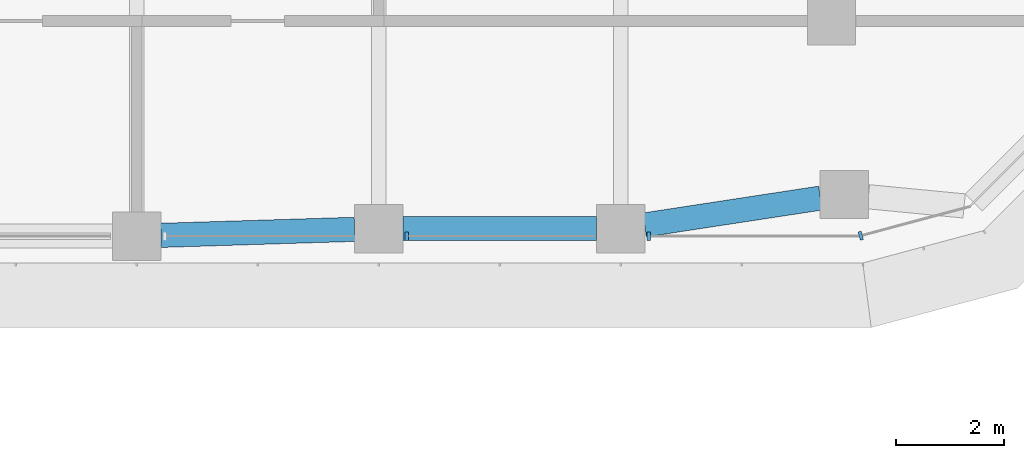
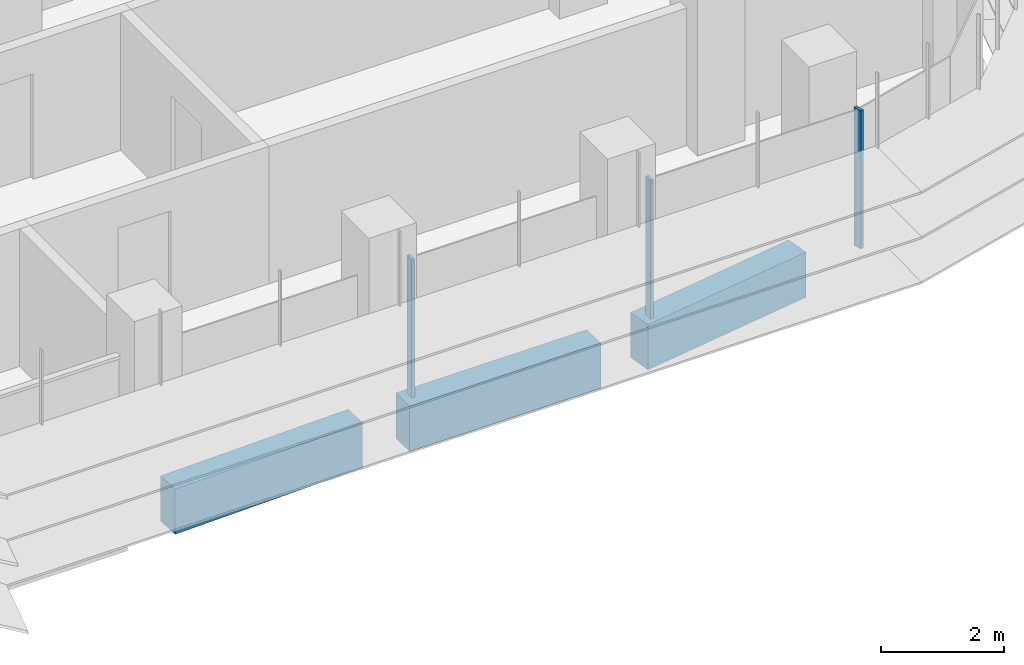
# One storey, part 5 of 22: 3 beams, 3 members, 2 elements without a shape of their own.
"""IFC4 building model written with IfcOpenShell, lengths in metres."""

from ifc_helpers import new_model, si_unit, direction, frame, origin, origin_2d, place, context, subcontext, project, spatial, polyline, rectangle, outline, extrude, source, transform, mapped, material, material_profile, profile_set, type_object, element, aggregate, save


model = new_model("IFC4")

# Units and contexts
model_context = context("Model", 3, precision=1e-05, world=origin(), true_north=direction((0.0, 1.0)))
body_context = subcontext(model_context, "Body", "Model", "MODEL_VIEW")
ifc_project = project(units=[si_unit("LENGTHUNIT", "METRE"), si_unit("AREAUNIT", "SQUARE_METRE"), si_unit("VOLUMEUNIT", "CUBIC_METRE"), si_unit("PLANEANGLEUNIT", "RADIAN"), si_unit("MASSUNIT", "GRAM", prefix="KILO")], contexts=[model_context])

# Site, building, storey
site_placement = place(None, origin())
site = spatial("IfcSite", under=ifc_project, at=site_placement, CompositionType="ELEMENT")
building_placement = place(site_placement, origin())
building = spatial("IfcBuilding", under=site, at=building_placement, Name="Zarbagh Exchange Tower", CompositionType="ELEMENT")
storey_placement = place(building_placement, frame((0.0, 0.0, 94.199951171875)))
storey = spatial("IfcBuildingStorey", under=building, at=storey_placement, Name="L21", CompositionType="ELEMENT", Elevation=94.199951171875)

# Beams
ifc_material_1 = material(Name="Concrete C60/75", Category="concrete")
ifc_material_profile = material_profile(ifc_material_1, rectangle(XDim=0.449951171875, YDim=0.89990234375, at=origin_2d()), Name="RC spandrel beam 450 x 900 C60/75")
ifc_profile_set = profile_set([ifc_material_profile], Name="Concrete C60/75")
beam_type = type_object("IfcBeamType", Name="RC spandrel beam 450 x 900 C60/75", PredefinedType="SPANDREL", material=ifc_profile_set)
beam_1_placement = place(storey_placement, frame((28.463134765625, -5.54296875, -0.599853515625), z_axis=(-0.988543505948, -0.150936201252, 0.0), x_axis=(0.150936201252, -0.988543505948, 0.0)))
element("IfcBeam", 1, at=beam_1_placement, inside=storey, type_object=beam_type, Name="RC spandrel beam", PredefinedType="SPANDREL", context=body_context, shape_type="SweptSolid", body=[
    extrude(rectangle(XDim=0.449951171875, YDim=0.89990234375, at=origin_2d()), origin(), (0.0, 0.0, 1.0), 3.30615234375),
])
beam_2_placement = place(storey_placement, frame((24.300048828125, -6.110107421875, -0.599853515625), z_axis=(-1.0, 0.0, 0.0), x_axis=(0.0, -1.0, 0.0)))
element("IfcBeam", 2, at=beam_2_placement, inside=storey, type_object=beam_type, Name="RC spandrel beam", PredefinedType="SPANDREL", context=body_context, shape_type="SweptSolid", body=[
    extrude(rectangle(XDim=0.449951171875, YDim=0.89990234375, at=origin_2d()), origin(), (0.0, 0.0, 1.0), 3.60009765625),
])
beam_3_placement = place(storey_placement, frame((19.80029296875, -6.1240234375, -0.599853515625), z_axis=(-0.999516035224, -0.031107801747, 0.0), x_axis=(0.031107801747, -0.999516035224, 0.0)))
element("IfcBeam", 3, at=beam_3_placement, inside=storey, type_object=beam_type, Name="RC spandrel beam", PredefinedType="SPANDREL", context=body_context, shape_type="SweptSolid", body=[
    extrude(rectangle(XDim=0.449951171875, YDim=0.89990234375, at=origin_2d()), origin(), (0.0, 0.0, 1.0), 3.602294921875),
])

# Curtain wall, members
ifc_material_2 = material(Name="Anodised aluminium frame and glazing", Category="aluminium")
curtain_wall_type = type_object("IfcCurtainWallType", Name="CWA Ribbon glazing, lower zones", PredefinedType="NOTDEFINED", material=ifc_material_2)
curtain_wall_1_placement = place(storey_placement, origin())
curtain_wall_1 = element("IfcCurtainWall", 4, at=curtain_wall_1_placement, inside=storey, type_object=curtain_wall_type, Name="CWA08 curtain wall", PredefinedType="NOTDEFINED")
ifc_material_3 = material(Name="Anodised aluminium frame", Category="aluminium")
member_type = type_object("IfcMemberType", Name="MUA Mullion, anodised aluminium frame", PredefinedType="MULLION", material=ifc_material_3)
shared_shape = source(origin(), body_context, "Body", "SweptSolid", [
    extrude(outline(polyline([(0.0, -0.080078125), (0.06005859375, -0.080078125), (0.06005859375, 0.080078125), (0.0, 0.080078125), (0.0, -0.080078125)])), origin(), (0.0, 0.0, 1.0), 2.75),
])
placement = place(storey_placement, origin())
member_1 = element("IfcMember", 5, at=placement, type_object=member_type, Name="CWA08 mullion 3.1", PredefinedType="MULLION", context=body_context, shape_type="MappedRepresentation", body=[
    mapped(shared_shape, transform((20.739990234375, -6.25, 0.0), x_axis=(1.0, 0.0, 0.0), y_axis=(0.0, 1.0, 0.0), z_axis=(0.0, 0.0, 1.0))),
])
member_2 = element("IfcMember", 6, at=placement, type_object=member_type, Name="CWA08 mullion 4.1", PredefinedType="MULLION", context=body_context, shape_type="MappedRepresentation", body=[
    mapped(shared_shape, transform((25.239990234375, -6.25, 0.0), x_axis=(1.0, 0.0, 0.0), y_axis=(0.0, 1.0, 0.0), z_axis=(0.0, 0.0, 1.0))),
])
aggregate(curtain_wall_1, [member_1, member_2])

# Curtain wall, member
curtain_wall_2_placement = place(storey_placement, origin())
curtain_wall_2 = element("IfcCurtainWall", 7, at=curtain_wall_2_placement, inside=storey, type_object=curtain_wall_type, Name="CWA09 curtain wall", PredefinedType="NOTDEFINED")
member_3 = element("IfcMember", 8, at=placement, type_object=member_type, Name="CWA09 mullion 1.1", PredefinedType="MULLION", context=body_context, shape_type="MappedRepresentation", body=[
    mapped(shared_shape, transform((29.18408203125, -6.25, 0.0), x_axis=(0.965924289636, 0.258824779902, 0.0), y_axis=(-0.258824779902, 0.965924289636, 0.0), z_axis=(0.0, 0.0, 1.0))),
])
aggregate(curtain_wall_2, [member_3])

save(model, "model.ifc")
